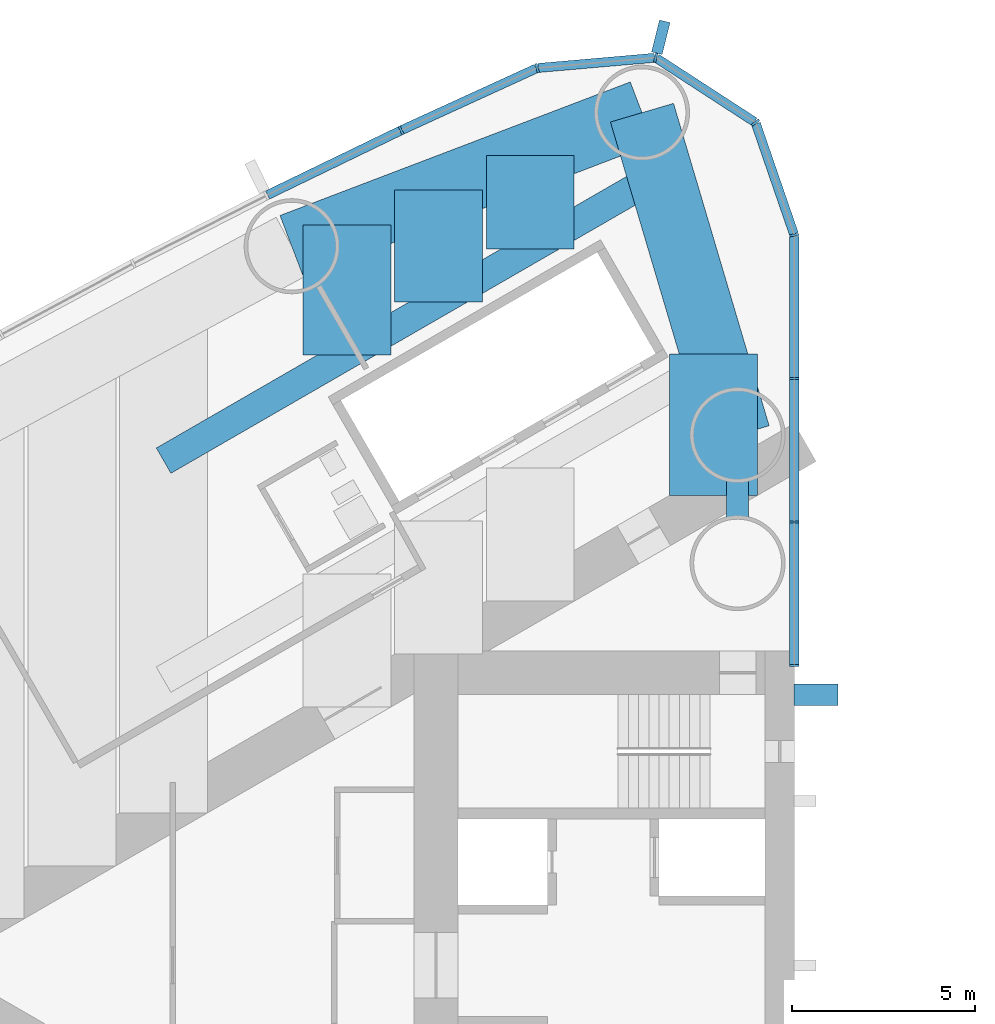
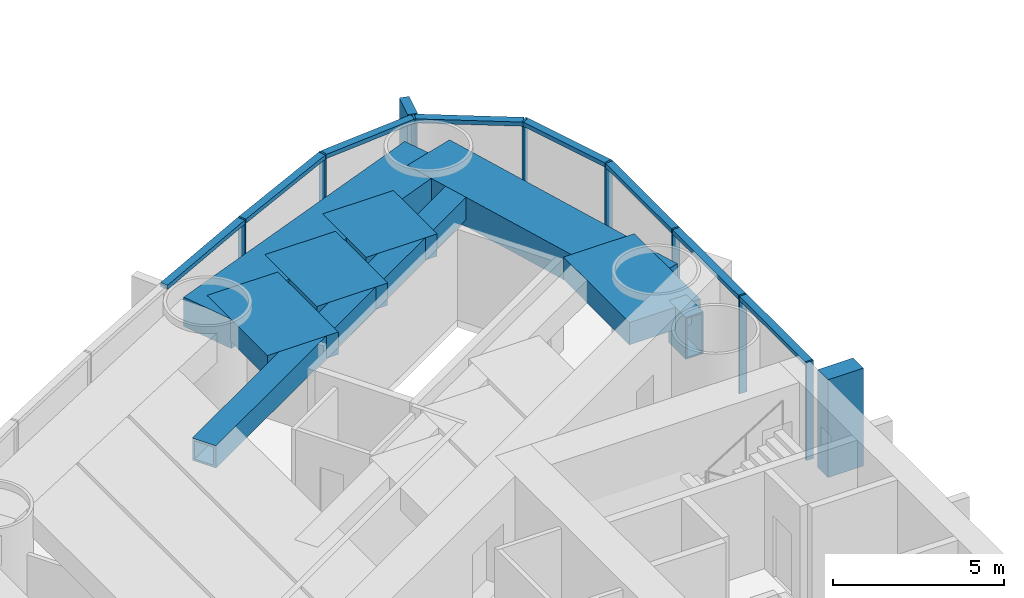
# One storey, part 5 of 18: 18 members, 8 beams, 1 element without a shape of its own.
"""IFC4 building model written with IfcOpenShell, lengths in metres."""

import ifcopenshell
import ifcopenshell.guid

model = None  # the IFC model being written
_history = None  # IfcOwnerHistory: only IFC2X3 demands one
_inside = {}  # id of a spatial element -> (the spatial element, [elements in it])
_under = {}  # id of a project, library or spatial element -> (it, [spatial elements below it])
_declared = {}  # id of a project -> (the project, [libraries it declares])
_typed = {}  # id of a type object -> (the type object, [elements of that type])
_made_of = {}  # id of a material, layer set ... -> (it, [elements and type objects made of it])


def new_model(schema):
    """Start an empty IFC model of exactly this schema.

    Asked for "IFC4X3", IfcOpenShell would pick the latest addendum, in which some entities
    have other attributes; the version numbers below select the first issue.
    IFC2X3 requires an IfcOwnerHistory on every rooted entity: one is made here for all.
    """
    global model, _history
    if schema == "IFC4X3":
        model = ifcopenshell.file(schema_version=(4, 3, 0, 0))
    else:
        model = ifcopenshell.file(schema=schema)
    _inside.clear()
    _under.clear()
    _declared.clear()
    _typed.clear()
    _made_of.clear()
    _history = None
    if model.schema == "IFC2X3":
        org = make("IfcOrganization", Name="unknown")
        user = make(
            "IfcPersonAndOrganization",
            ThePerson=make("IfcPerson", FamilyName="unknown"),
            TheOrganization=org,
        )
        app = make(
            "IfcApplication",
            ApplicationDeveloper=org,
            Version="unknown",
            ApplicationFullName="unknown",
            ApplicationIdentifier="unknown",
        )
        _history = make(
            "IfcOwnerHistory",
            OwningUser=user,
            OwningApplication=app,
            ChangeAction="ADDED",
            CreationDate=0,
        )
    return model


def make(cls, **values):
    """One entity of the class cls with the attributes given. An attribute that is None is left unset."""
    return model.create_entity(
        cls, **{name: value for name, value in values.items() if value is not None}
    )


def rooted(cls, **values):
    """An entity with a GlobalId (a new one), such as an element, a storey or a relation."""
    return make(cls, GlobalId=ifcopenshell.guid.new(), OwnerHistory=_history, **values)


def si_unit(unit_type, name, prefix=None):
    """IfcSIUnit, for example si_unit("LENGTHUNIT", "METRE", prefix="MILLI")."""
    return make("IfcSIUnit", UnitType=unit_type, Prefix=prefix, Name=name)


def assignment(units):
    """IfcUnitAssignment: the units of a project."""
    return None if units is None else make("IfcUnitAssignment", Units=units)


def point(xyz):
    """IfcCartesianPoint."""
    return None if xyz is None else make("IfcCartesianPoint", Coordinates=xyz)


def direction(xyz):
    """IfcDirection."""
    return None if xyz is None else make("IfcDirection", DirectionRatios=xyz)


def frame(location, z_axis=None, x_axis=None):
    """IfcAxis2Placement3D, a coordinate frame: its origin and axes. An axis left out is left unset."""
    return make(
        "IfcAxis2Placement3D",
        Location=point(location),
        Axis=direction(z_axis),
        RefDirection=direction(x_axis),
    )


def frame_2d(location, x_axis=None):
    """IfcAxis2Placement2D, a coordinate frame in the plane: its origin and x axis."""
    return make(
        "IfcAxis2Placement2D", Location=point(location), RefDirection=direction(x_axis)
    )


def origin():
    """The frame at (0, 0, 0) with its axes left unset."""
    return frame((0.0, 0.0, 0.0))


def origin_2d():
    """The frame at (0, 0) in the plane with its x axis left unset."""
    return frame_2d((0.0, 0.0))


def place(relative_to, where):
    """IfcLocalPlacement: puts the frame where relative to a parent placement (None: the world)."""
    return make(
        "IfcLocalPlacement", PlacementRelTo=relative_to, RelativePlacement=where
    )


def context(
    kind, dimensions, precision=None, world=None, true_north=None, identifier=None
):
    """IfcGeometricRepresentationContext, for example the 3D "Model" context."""
    return make(
        "IfcGeometricRepresentationContext",
        ContextIdentifier=identifier,
        ContextType=kind,
        CoordinateSpaceDimension=dimensions,
        Precision=precision,
        WorldCoordinateSystem=world,
        TrueNorth=true_north,
    )


def subcontext(parent, identifier, kind, view, scale=None):
    """IfcGeometricRepresentationSubContext, for example "Body" below "Model"."""
    return make(
        "IfcGeometricRepresentationSubContext",
        ContextIdentifier=identifier,
        ContextType=kind,
        ParentContext=parent,
        TargetScale=scale,
        TargetView=view,
    )


def project(units=None, contexts=None):
    """IfcProject with its units and contexts."""
    return rooted(
        "IfcProject",
        Name="project",
        RepresentationContexts=contexts,
        UnitsInContext=assignment(units),
    )


def spatial(cls, under=None, at=None, **own):
    """A site, building, storey or space (cls), placed at a placement, below another one or the project."""
    s = rooted(cls, ObjectPlacement=at, **own)
    if under is not None:
        _under.setdefault(under.id(), (under, []))[1].append(s)
    return s


def profile(cls, at=None, kind="AREA", **sizes):
    """A parametric profile (cls). Its sizes go by their IFC names, for example OverallWidth=200.0."""
    return make(cls, ProfileType=kind, Position=at, **sizes)


def rectangle(**sizes):
    """IfcRectangleProfileDef."""
    return profile("IfcRectangleProfileDef", **sizes)


def hollow_rectangle(**sizes):
    """IfcRectangleHollowProfileDef."""
    return profile("IfcRectangleHollowProfileDef", **sizes)


def extrude(swept, where, along, depth):
    """IfcExtrudedAreaSolid: the profile swept, set in the frame where, extruded along a direction by depth."""
    return make(
        "IfcExtrudedAreaSolid",
        SweptArea=swept,
        Position=where,
        ExtrudedDirection=direction(along),
        Depth=depth,
    )


def shape(context_of_items, identifier, shape_type, items):
    """IfcShapeRepresentation: the items that make up one representation, for example the "Body"."""
    return make(
        "IfcShapeRepresentation",
        ContextOfItems=context_of_items,
        RepresentationIdentifier=identifier,
        RepresentationType=shape_type,
        Items=items,
    )


def material(Name=None, Category=None):
    """IfcMaterial."""
    return make("IfcMaterial", Name=Name, Category=Category)


def material_profile(
    of_material, cross_section, Name=None, Category=None, Priority=None
):
    """IfcMaterialProfile: a cross section and its material."""
    return make(
        "IfcMaterialProfile",
        Name=Name,
        Material=of_material,
        Profile=cross_section,
        Priority=Priority,
        Category=Category,
    )


def profile_set(profiles, Name=None, composite=None):
    """IfcMaterialProfileSet."""
    return make(
        "IfcMaterialProfileSet",
        Name=Name,
        MaterialProfiles=profiles,
        CompositeProfile=composite,
    )


def made_of(thing, what):
    """Note that an element or type object is made of a material, layer set ...; save() writes the relation."""
    if what is not None:
        _made_of.setdefault(what.id(), (what, []))[1].append(thing)
    return thing


def type_object(cls, material=None, **own):
    """A type object (cls), such as IfcWallType, which elements share."""
    return made_of(rooted(cls, **own), material)


def element(
    cls,
    number,
    at=None,
    inside=None,
    cuts=None,
    type_object=None,
    material=None,
    context=None,
    identifier="Body",
    shape_type=None,
    held_by="IfcProductDefinitionShape",
    body=None,
    shapes=None,
    **own,
):
    """One element of the class cls, such as IfcWall. Its Tag is "e" and its number.

    at: its placement. inside: the storey or other place that contains it. cuts: it is an
    opening in that element (IfcRelVoidsElement). A single representation is given by context,
    identifier, shape_type and body (its items); several are given by shapes. held_by: the class
    of the entity that holds the representations. save() writes the other relations.
    """
    e = rooted(cls, Tag="e%d" % number, ObjectPlacement=at, **own)
    if body is not None:
        shapes = [shape(context, identifier, shape_type, body)]
    if shapes is not None:
        e.Representation = make(held_by, Representations=shapes)
    if inside is not None:
        _inside.setdefault(inside.id(), (inside, []))[1].append(e)
    if cuts is not None:
        rooted(
            "IfcRelVoidsElement", RelatingBuildingElement=cuts, RelatedOpeningElement=e
        )
    if type_object is not None:
        _typed.setdefault(type_object.id(), (type_object, []))[1].append(e)
    return made_of(e, material)


def aggregate(whole, parts):
    """IfcRelAggregates: a whole, such as a stair, and the parts it consists of."""
    return rooted("IfcRelAggregates", RelatingObject=whole, RelatedObjects=parts)


def save(model, path):
    """Write the relations noted so far, then the file.

    IfcRelAggregates (storeys below a building ...), IfcRelContainedInSpatialStructure (elements
    in a storey), IfcRelDefinesByType, IfcRelAssociatesMaterial and IfcRelDeclares: one each for
    every whole, place, type object, material and project.
    """
    for whole, parts in _under.values():
        aggregate(whole, parts)
    for where, things in _inside.values():
        rooted(
            "IfcRelContainedInSpatialStructure",
            RelatedElements=things,
            RelatingStructure=where,
        )
    for kind, things in _typed.values():
        rooted("IfcRelDefinesByType", RelatedObjects=things, RelatingType=kind)
    for what, things in _made_of.values():
        rooted("IfcRelAssociatesMaterial", RelatedObjects=things, RelatingMaterial=what)
    for by, libraries in _declared.values():
        rooted("IfcRelDeclares", RelatingContext=by, RelatedDefinitions=libraries)
    model.write(path)


model = new_model("IFC4")

# Units and contexts
model_context = context("Model", 3, precision=1e-05, world=origin(), true_north=direction((0.0, 1.0)))
body_context = subcontext(model_context, "Body", "Model", "MODEL_VIEW")
ifc_project = project(units=[si_unit("LENGTHUNIT", "METRE"), si_unit("AREAUNIT", "SQUARE_METRE"), si_unit("VOLUMEUNIT", "CUBIC_METRE"), si_unit("PLANEANGLEUNIT", "RADIAN"), si_unit("MASSUNIT", "GRAM", prefix="KILO")], contexts=[model_context])

# Site, building, storey
site_placement = place(None, origin())
site = spatial("IfcSite", under=ifc_project, at=site_placement, CompositionType="ELEMENT")
building_placement = place(site_placement, origin())
building = spatial("IfcBuilding", under=site, at=building_placement, Name="Lancet Gate Hotel", CompositionType="ELEMENT")
storey_placement = place(building_placement, frame((0.0, 0.0, 101.10009765625)))
storey = spatial("IfcBuildingStorey", under=building, at=storey_placement, Name="L26", CompositionType="ELEMENT", Elevation=101.10009765625)

# Curtain wall, members
ifc_material_1 = material(Name="Aluminium curtain wall", Category="aluminium")
curtain_wall_type = type_object("IfcCurtainWallType", Name="Tower unitised curtain wall", PredefinedType="USERDEFINED", material=ifc_material_1)
curtain_wall_placement = place(storey_placement, origin())
curtain_wall = element("IfcCurtainWall", 1, at=curtain_wall_placement, inside=storey, type_object=curtain_wall_type, Name="T1 L26 curtain wall 1", ObjectType="UNITISED CURTAIN WALL", PredefinedType="USERDEFINED")
ifc_material_2 = material(Name="Aluminium mullion", Category="aluminium")
ifc_material_profile_1 = material_profile(ifc_material_2, rectangle(XDim=0.06494140625, YDim=0.25, at=origin_2d()), Name="MULLION 65x250")
ifc_profile_set_1 = profile_set([ifc_material_profile_1], Name="Aluminium mullion")
member_type_1 = type_object("IfcMemberType", Name="Aluminium mullion 65x250", PredefinedType="MULLION", material=ifc_profile_set_1)
member_1_placement = place(storey_placement, frame((-27.5, 8.199951171875, 0.0), z_axis=(0.0, 0.0, 1.0), x_axis=(0.0, 1.0, 0.0)))
member_1 = element("IfcMember", 2, at=member_1_placement, type_object=member_type_1, Name="T1 L26 curtain wall 1 mullion 1", PredefinedType="MULLION", context=body_context, shape_type="SweptSolid", body=[
    extrude(rectangle(XDim=0.06494140625, YDim=0.25, at=origin_2d()), origin(), (0.0, 0.0, 1.0), 3.5),
])
member_2_placement = place(storey_placement, frame((-27.5, 12.123779296875, 0.0), z_axis=(0.0, 0.0, 1.0), x_axis=(0.0, 1.0, 0.0)))
member_2 = element("IfcMember", 3, at=member_2_placement, type_object=member_type_1, Name="T1 L26 curtain wall 1 mullion 2", PredefinedType="MULLION", context=body_context, shape_type="SweptSolid", body=[
    extrude(rectangle(XDim=0.06494140625, YDim=0.25, at=origin_2d()), origin(), (0.0, 0.0, 1.0), 3.5),
])
member_3_placement = place(storey_placement, frame((-27.5, 16.04736328125, 0.0), z_axis=(0.0, 0.0, 1.0), x_axis=(0.0, 1.0, 0.0)))
member_3 = element("IfcMember", 4, at=member_3_placement, type_object=member_type_1, Name="T1 L26 curtain wall 1 mullion 3", PredefinedType="MULLION", context=body_context, shape_type="SweptSolid", body=[
    extrude(rectangle(XDim=0.06494140625, YDim=0.25, at=origin_2d()), origin(), (0.0, 0.0, 1.0), 3.5),
])
member_4_placement = place(storey_placement, frame((-27.5, 19.97119140625, 0.0), z_axis=(0.0, 0.0, 1.0), x_axis=(-0.149634446211, 0.988741388082, 0.0)))
member_4 = element("IfcMember", 5, at=member_4_placement, type_object=member_type_1, Name="T1 L26 curtain wall 1 mullion 4", PredefinedType="MULLION", context=body_context, shape_type="SweptSolid", body=[
    extrude(rectangle(XDim=0.06494140625, YDim=0.25, at=origin_2d()), origin(), (0.0, 0.0, 1.0), 3.5),
])
member_5_placement = place(storey_placement, frame((-28.5595703125, 23.049072265625, 0.0), z_axis=(0.0, 0.0, 1.0), x_axis=(-0.615574240878, 0.788078900851, 0.0)))
member_5 = element("IfcMember", 6, at=member_5_placement, type_object=member_type_1, Name="T1 L26 curtain wall 1 mullion 5", PredefinedType="MULLION", context=body_context, shape_type="SweptSolid", body=[
    extrude(rectangle(XDim=0.06494140625, YDim=0.25, at=origin_2d()), origin(), (0.0, 0.0, 1.0), 3.5),
])
member_6_placement = place(storey_placement, frame((-31.289306640625, 24.822265625, 0.0), z_axis=(0.0, 0.0, 1.0), x_axis=(-0.970242142288, 0.242136707934, 0.0)))
member_6 = element("IfcMember", 7, at=member_6_placement, type_object=member_type_1, Name="T1 L26 curtain wall 1 mullion 6", PredefinedType="MULLION", context=body_context, shape_type="SweptSolid", body=[
    extrude(rectangle(XDim=0.06494140625, YDim=0.25, at=origin_2d()), origin(), (0.0, 0.0, 1.0), 3.5),
])
member_7_placement = place(storey_placement, frame((-34.5322265625, 24.53955078125, 0.0), z_axis=(0.0, 0.0, 1.0), x_axis=(-0.961653318232, -0.27426792655, 0.0)))
member_7 = element("IfcMember", 8, at=member_7_placement, type_object=member_type_1, Name="T1 L26 curtain wall 1 mullion 7", PredefinedType="MULLION", context=body_context, shape_type="SweptSolid", body=[
    extrude(rectangle(XDim=0.06494140625, YDim=0.25, at=origin_2d()), origin(), (0.0, 0.0, 1.0), 3.5),
])
member_8_placement = place(storey_placement, frame((-38.25244140625, 22.83642578125, 0.0), z_axis=(0.0, 0.0, 1.0), x_axis=(-0.904719609771, -0.426007544178, 0.0)))
member_8 = element("IfcMember", 9, at=member_8_placement, type_object=member_type_1, Name="T1 L26 curtain wall 1 mullion 8", PredefinedType="MULLION", context=body_context, shape_type="SweptSolid", body=[
    extrude(rectangle(XDim=0.06494140625, YDim=0.25, at=origin_2d()), origin(), (0.0, 0.0, 1.0), 3.5),
])
ifc_material_3 = material(Name="Aluminium transom", Category="aluminium")
ifc_material_profile_2 = material_profile(ifc_material_3, rectangle(XDim=0.25, YDim=0.14990234375, at=origin_2d()), Name="TRANSOM 250x150")
ifc_profile_set_2 = profile_set([ifc_material_profile_2], Name="Aluminium transom")
member_type_2 = type_object("IfcMemberType", Name="Aluminium transom 250x150", PredefinedType="USERDEFINED", material=ifc_profile_set_2)
member_9_placement = place(storey_placement, frame((-27.5, 8.232421875, 3.4248046875), z_axis=(0.0, 1.0, 0.0), x_axis=(-1.0, 0.0, 0.0)))
member_9 = element("IfcMember", 10, at=member_9_placement, type_object=member_type_2, Name="T1 L26 curtain wall 1 transom 1", ObjectType="TRANSOM", PredefinedType="USERDEFINED", context=body_context, shape_type="SweptSolid", body=[
    extrude(rectangle(XDim=0.25, YDim=0.14990234375, at=origin_2d()), origin(), (0.0, 0.0, 1.0), 3.85888671875),
])
member_10_placement = place(storey_placement, frame((-27.5, 12.15625, 3.4248046875), z_axis=(0.0, 1.0, 0.0), x_axis=(-1.0, 0.0, 0.0)))
member_10 = element("IfcMember", 11, at=member_10_placement, type_object=member_type_2, Name="T1 L26 curtain wall 1 transom 2", ObjectType="TRANSOM", PredefinedType="USERDEFINED", context=body_context, shape_type="SweptSolid", body=[
    extrude(rectangle(XDim=0.25, YDim=0.14990234375, at=origin_2d()), origin(), (0.0, 0.0, 1.0), 3.858642578125),
])
member_11_placement = place(storey_placement, frame((-27.5, 16.079833984375, 3.4248046875), z_axis=(0.0, 1.0, 0.0), x_axis=(-1.0, 0.0, 0.0)))
member_11 = element("IfcMember", 12, at=member_11_placement, type_object=member_type_2, Name="T1 L26 curtain wall 1 transom 3", ObjectType="TRANSOM", PredefinedType="USERDEFINED", context=body_context, shape_type="SweptSolid", body=[
    extrude(rectangle(XDim=0.25, YDim=0.14990234375, at=origin_2d()), origin(), (0.0, 0.0, 1.0), 3.858642578125),
])
member_12_placement = place(storey_placement, frame((-27.510498046875, 20.001708984375, 3.4248046875), z_axis=(-0.32553312754, 0.945530635609, 0.0), x_axis=(-0.945530635609, -0.32553312754, 0.0)))
member_12 = element("IfcMember", 13, at=member_12_placement, type_object=member_type_2, Name="T1 L26 curtain wall 1 transom 4", ObjectType="TRANSOM", PredefinedType="USERDEFINED", context=body_context, shape_type="SweptSolid", body=[
    extrude(rectangle(XDim=0.25, YDim=0.14990234375, at=origin_2d()), origin(), (0.0, 0.0, 1.0), 3.1904296875),
])
member_13_placement = place(storey_placement, frame((-28.5869140625, 23.066650390625, 3.4248046875), z_axis=(-0.838550259452, 0.544824249068, 0.0), x_axis=(-0.544824249068, -0.838550259452, 0.0)))
member_13 = element("IfcMember", 14, at=member_13_placement, type_object=member_type_2, Name="T1 L26 curtain wall 1 transom 5", ObjectType="TRANSOM", PredefinedType="USERDEFINED", context=body_context, shape_type="SweptSolid", body=[
    extrude(rectangle(XDim=0.25, YDim=0.14990234375, at=origin_2d()), origin(), (0.0, 0.0, 1.0), 3.190185546875),
])
member_14_placement = place(storey_placement, frame((-31.32177734375, 24.819580078125, 3.4248046875), z_axis=(-0.996213545522, -0.086940046686, 0.0), x_axis=(0.086940046686, -0.996213545522, 0.0)))
member_14 = element("IfcMember", 15, at=member_14_placement, type_object=member_type_2, Name="T1 L26 curtain wall 1 transom 6", ObjectType="TRANSOM", PredefinedType="USERDEFINED", context=body_context, shape_type="SweptSolid", body=[
    extrude(rectangle(XDim=0.25, YDim=0.14990234375, at=origin_2d()), origin(), (0.0, 0.0, 1.0), 3.18994140625),
])
member_15_placement = place(storey_placement, frame((-34.561767578125, 24.52587890625, 3.4248046875), z_axis=(-0.909252284196, -0.416245460857, 0.0), x_axis=(0.416245460857, -0.909252284196, 0.0)))
member_15 = element("IfcMember", 16, at=member_15_placement, type_object=member_type_2, Name="T1 L26 curtain wall 1 transom 7", ObjectType="TRANSOM", PredefinedType="USERDEFINED", context=body_context, shape_type="SweptSolid", body=[
    extrude(rectangle(XDim=0.25, YDim=0.14990234375, at=origin_2d()), origin(), (0.0, 0.0, 1.0), 4.026611328125),
])
member_16_placement = place(storey_placement, frame((-38.28173828125, 22.822265625, 3.4248046875), z_axis=(-0.900065677074, -0.435754262117, 0.0), x_axis=(0.435754262117, -0.900065677074, 0.0)))
member_16 = element("IfcMember", 17, at=member_16_placement, type_object=member_type_2, Name="T1 L26 curtain wall 1 transom 8", ObjectType="TRANSOM", PredefinedType="USERDEFINED", context=body_context, shape_type="SweptSolid", body=[
    extrude(rectangle(XDim=0.25, YDim=0.14990234375, at=origin_2d()), origin(), (0.0, 0.0, 1.0), 4.026611328125),
])

# Beams
ifc_material_4 = material(Name="Concrete C50/60", Category="concrete")
ifc_material_profile_3 = material_profile(ifc_material_4, rectangle(XDim=1.800048828125, YDim=1.050048828125, at=origin_2d()), Name="RC 1800x1050")
ifc_profile_set_3 = profile_set([ifc_material_profile_3], Name="Concrete C50/60")
beam_type_1 = type_object("IfcBeamType", Name="Edge beam RC 1800x1050", PredefinedType="SPANDREL", material=ifc_profile_set_3)
beam_1_placement = place(storey_placement, frame((-31.66455078125, 23.318359375, 2.724853515625), z_axis=(-0.934392266213, -0.356245832033, 0.0), x_axis=(0.356245832033, -0.934392266213, 0.0)))
element("IfcBeam", 18, at=beam_1_placement, inside=storey, type_object=beam_type_1, Name="T1 edge beam EB1 L26", PredefinedType="SPANDREL", context=body_context, shape_type="SweptSolid", body=[
    extrude(rectangle(XDim=1.800048828125, YDim=1.050048828125, at=origin_2d()), origin(), (0.0, 0.0, 1.0), 10.2529296875),
])
beam_2_placement = place(storey_placement, frame((-31.66455078125, 23.318359375, 2.724853515625), z_axis=(0.284253711522, -0.958749095168, 0.0), x_axis=(0.958749095168, 0.284253711522, 0.0)))
element("IfcBeam", 19, at=beam_2_placement, inside=storey, type_object=beam_type_1, Name="T1 edge beam EB1 L26", PredefinedType="SPANDREL", context=body_context, shape_type="SweptSolid", body=[
    extrude(rectangle(XDim=1.800048828125, YDim=1.050048828125, at=origin_2d()), origin(), (0.0, 0.0, 1.0), 9.19775390625),
])

# Member
ifc_material_5 = material(Name="Concrete C60/75", Category="concrete")
ifc_material_profile_4 = material_profile(ifc_material_5, rectangle(XDim=0.60009765625, YDim=1.199951171875, at=origin_2d()), Name="FIN 600x1200")
ifc_profile_set_4 = profile_set([ifc_material_profile_4], Name="Concrete C60/75")
member_type_3 = type_object("IfcMemberType", Name="Exposed concrete buttress pilaster 600x1200", PredefinedType="USERDEFINED", material=ifc_profile_set_4)
member_17_placement = place(storey_placement, frame((-26.909912109375, 7.39990234375, 0.0), z_axis=(0.0, 0.0, 1.0), x_axis=(0.0, 1.0, 0.0)))
element("IfcMember", 20, at=member_17_placement, inside=storey, type_object=member_type_3, Name="T1 buttress pilaster S L26", ObjectType="FIN", PredefinedType="USERDEFINED", context=body_context, shape_type="SweptSolid", body=[
    extrude(rectangle(XDim=0.60009765625, YDim=1.199951171875, at=origin_2d()), origin(), (0.0, 0.0, 1.0), 3.5),
])

ifc_material_6 = material(Name="Precast concrete C50/60", Category="concrete")
ifc_material_profile_5 = material_profile(ifc_material_6, rectangle(XDim=0.300048828125, YDim=0.89990234375, at=origin_2d()), Name="FIN 300x900")
ifc_profile_set_5 = profile_set([ifc_material_profile_5], Name="Precast concrete C50/60")
member_type_4 = type_object("IfcMemberType", Name="Exposed concrete fin 300x900", PredefinedType="USERDEFINED", material=ifc_profile_set_5)
member_18_placement = place(storey_placement, frame((-31.150146484375, 25.380126953125, 0.0), z_axis=(0.0, 0.0, 1.0), x_axis=(-0.970242142288, 0.242136707934, 0.0)))
member_18 = element("IfcMember", 21, at=member_18_placement, type_object=member_type_4, Name="T1 L26 curtain wall 1 fin 6", ObjectType="FIN", PredefinedType="USERDEFINED", context=body_context, shape_type="SweptSolid", body=[
    extrude(rectangle(XDim=0.300048828125, YDim=0.89990234375, at=origin_2d()), origin(), (0.0, 0.0, 1.0), 3.5),
])

aggregate(curtain_wall, [member_1, member_2, member_3, member_4, member_5, member_6, member_18, member_7, member_8, member_9, member_10, member_11, member_12, member_13, member_14, member_15, member_16])

# Beams
ifc_material_7 = material(Name="Concrete C50/60", Category="concrete")
ifc_material_profile_6 = material_profile(ifc_material_7, rectangle(XDim=2.39990234375, YDim=0.800048828125, at=origin_2d()), Name="RC 2400x800")
ifc_profile_set_6 = profile_set([ifc_material_profile_6], Name="Concrete C50/60")
beam_type_2 = type_object("IfcBeamType", Name="Floor beam RC 2400x800", PredefinedType="BEAM", material=ifc_profile_set_6)
beam_3_placement = place(storey_placement, frame((-29.706787109375, 16.71533203125, 2.849853515625), z_axis=(0.0, -1.0, 0.0), x_axis=(1.0, 0.0, 0.0)))
element("IfcBeam", 22, at=beam_3_placement, inside=storey, type_object=beam_type_2, Name="T1 floor beam F02S L26", PredefinedType="BEAM", context=body_context, shape_type="SweptSolid", body=[
    extrude(rectangle(XDim=2.39990234375, YDim=0.800048828125, at=origin_2d()), origin(), (0.0, 0.0, 1.0), 3.86279296875),
])
beam_4_placement = place(storey_placement, frame((-34.720458984375, 22.1533203125, 2.849853515625), z_axis=(0.0, -1.0, 0.0), x_axis=(1.0, 0.0, 0.0)))
element("IfcBeam", 23, at=beam_4_placement, inside=storey, type_object=beam_type_2, Name="T1 floor beam F04SA L26", PredefinedType="BEAM", context=body_context, shape_type="SweptSolid", body=[
    extrude(rectangle(XDim=2.39990234375, YDim=0.800048828125, at=origin_2d()), origin(), (0.0, 0.0, 1.0), 2.561767578125),
])
beam_5_placement = place(storey_placement, frame((-37.227294921875, 21.197509765625, 2.849853515625), z_axis=(0.0, -1.0, 0.0), x_axis=(1.0, 0.0, 0.0)))
element("IfcBeam", 24, at=beam_5_placement, inside=storey, type_object=beam_type_2, Name="T1 floor beam F05SA L26", PredefinedType="BEAM", context=body_context, shape_type="SweptSolid", body=[
    extrude(rectangle(XDim=2.39990234375, YDim=0.800048828125, at=origin_2d()), origin(), (0.0, 0.0, 1.0), 3.053466796875),
])
beam_6_placement = place(storey_placement, frame((-39.734130859375, 20.24169921875, 2.849853515625), z_axis=(0.0, -1.0, 0.0), x_axis=(1.0, 0.0, 0.0)))
element("IfcBeam", 25, at=beam_6_placement, inside=storey, type_object=beam_type_2, Name="T1 floor beam F07SA L26", PredefinedType="BEAM", context=body_context, shape_type="SweptSolid", body=[
    extrude(rectangle(XDim=2.39990234375, YDim=0.800048828125, at=origin_2d()), origin(), (0.0, 0.0, 1.0), 3.545166015625),
])
ifc_material_8 = material(Name="Steel S460QL", Category="steel")
ifc_material_profile_7 = material_profile(ifc_material_8, hollow_rectangle(XDim=0.60009765625, YDim=1.5, WallThickness=0.050048828125, at=origin_2d()), Name="BOX 1500x600x50")
ifc_profile_set_7 = profile_set([ifc_material_profile_7], Name="Steel S460QL")
beam_type_3 = type_object("IfcBeamType", Name="Inner-face link beam BOX 1500x600x50", PredefinedType="BEAM", material=ifc_profile_set_7)
beam_7_placement = place(storey_placement, frame((-29.050048828125, 13.25, 2.5), z_axis=(0.0, -1.0, 0.0), x_axis=(1.0, 0.0, 0.0)))
element("IfcBeam", 26, at=beam_7_placement, inside=storey, type_object=beam_type_3, Name="T1 inner-face link beam LK1 L26", PredefinedType="BEAM", context=body_context, shape_type="SweptSolid", body=[
    extrude(hollow_rectangle(XDim=0.60009765625, YDim=1.5, WallThickness=0.050048828125, at=origin_2d()), origin(), (0.0, 0.0, 1.0), 1.0),
])
ifc_material_9 = material(Name="Steel S460QL", Category="steel")
ifc_material_profile_8 = material_profile(ifc_material_9, hollow_rectangle(XDim=0.800048828125, YDim=0.800048828125, WallThickness=0.080078125, at=origin_2d()), Name="BOX 800x800x80")
ifc_profile_set_8 = profile_set([ifc_material_profile_8], Name="Steel S460QL")
beam_type_4 = type_object("IfcBeamType", Name="Trimmer beam BOX 800x800x80", PredefinedType="BEAM", material=ifc_profile_set_8)
beam_8_placement = place(storey_placement, frame((-31.16796875, 21.642822265625, 2.849853515625), z_axis=(-0.866004868127, -0.500035567115, 0.0), x_axis=(0.500035567115, -0.866004868127, 0.0)))
element("IfcBeam", 27, at=beam_8_placement, inside=storey, type_object=beam_type_4, Name="T1 trimmer beam TR04S L26", PredefinedType="BEAM", context=body_context, shape_type="SweptSolid", body=[
    extrude(hollow_rectangle(XDim=0.800048828125, YDim=0.800048828125, WallThickness=0.080078125, at=origin_2d()), origin(), (0.0, 0.0, 1.0), 15.680908203125),
])

save(model, "model.ifc")
